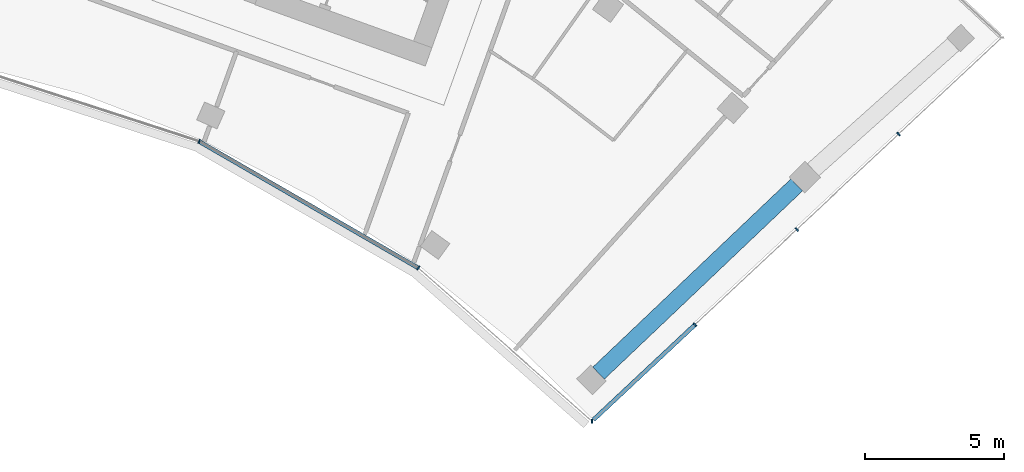
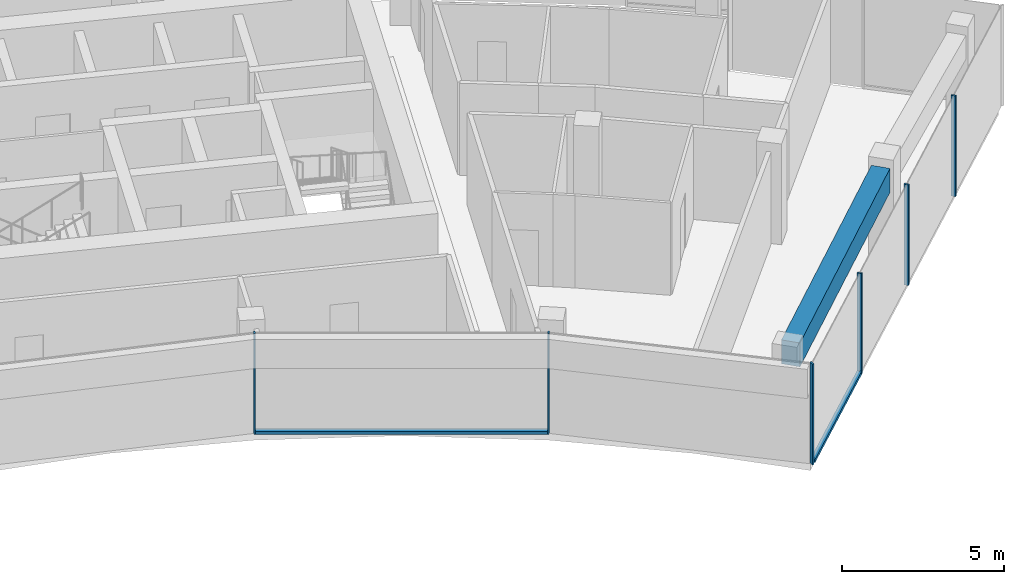
# One storey, part 8 of 18: 8 members, 1 beam, 2 elements without a shape of their own.
"""IFC4 building model written with IfcOpenShell, lengths in metres."""

from ifc_helpers import new_model, si_unit, direction, frame, origin, origin_2d, place, context, subcontext, project, spatial, rectangle, extrude, material, layer, layer_set, material_profile, profile_set, type_object, element, aggregate, save


model = new_model("IFC4")

# Units and contexts
model_context = context("Model", 3, precision=1e-05, world=origin(), true_north=direction((0.0, 1.0)))
body_context = subcontext(model_context, "Body", "Model", "MODEL_VIEW")
ifc_project = project(units=[si_unit("LENGTHUNIT", "METRE"), si_unit("AREAUNIT", "SQUARE_METRE"), si_unit("VOLUMEUNIT", "CUBIC_METRE"), si_unit("PLANEANGLEUNIT", "RADIAN"), si_unit("MASSUNIT", "GRAM", prefix="KILO")], contexts=[model_context])

# Site, building, storey
site_placement = place(None, origin())
site = spatial("IfcSite", under=ifc_project, at=site_placement, CompositionType="ELEMENT")
building_placement = place(site_placement, origin())
building = spatial("IfcBuilding", under=site, at=building_placement, Name="Stone Belt Terrace Tower", CompositionType="ELEMENT")
storey_placement = place(building_placement, frame((0.0, 0.0, 284.60009765625)))
storey = spatial("IfcBuildingStorey", under=building, at=storey_placement, Name="L69", CompositionType="ELEMENT", Elevation=284.60009765625)

# Curtain wall, members
ifc_material_1 = material(Name="Aluminium 6063-T6 anodised frame", Category="aluminium")
ifc_layer_1 = layer(ifc_material_1, 0.14990234375)
ifc_layer_set_1 = layer_set([ifc_layer_1], Name="CW-B unitised concave-face curtain wall")
curtain_wall_type_1 = type_object("IfcCurtainWallType", Name="CW-B unitised concave-face curtain wall", PredefinedType="NOTDEFINED", material=ifc_layer_set_1)
curtain_wall_1_placement = place(storey_placement, origin())
curtain_wall_1 = element("IfcCurtainWall", 1, at=curtain_wall_1_placement, inside=storey, type_object=curtain_wall_type_1, Name="CW-B concave face L69", PredefinedType="NOTDEFINED")
ifc_material_profile_1 = material_profile(ifc_material_1, rectangle(XDim=0.14990234375, YDim=0.050048828125, at=origin_2d()), Name="Aluminium 6063-T6 50x150")
ifc_profile_set_1 = profile_set([ifc_material_profile_1], Name="Aluminium 6063-T6 anodised frame")
member_type_1 = type_object("IfcMemberType", Name="CW-B mullion 50 x 150", PredefinedType="MULLION", material=ifc_profile_set_1)
member_1_placement = place(storey_placement, frame((17.662353515625, 39.67041015625, 0.0), z_axis=(0.0, 0.0, 1.0), x_axis=(0.406736643076, 0.913545457643, 0.0)))
member_1 = element("IfcMember", 2, at=member_1_placement, type_object=member_type_1, Name="CW-B mullion 7", PredefinedType="MULLION", context=body_context, shape_type="SweptSolid", body=[
    extrude(rectangle(XDim=0.14990234375, YDim=0.050048828125, at=origin_2d()), origin(), (0.0, 0.0, 1.0), 3.7998046875),
])
member_2_placement = place(storey_placement, frame((25.524658203125, 35.131103515625, 0.0), z_axis=(0.0, 0.0, 1.0), x_axis=(0.583818854632, 0.811883947973, 0.0)))
member_2 = element("IfcMember", 3, at=member_2_placement, type_object=member_type_1, Name="CW-B mullion 8", PredefinedType="MULLION", context=body_context, shape_type="SweptSolid", body=[
    extrude(rectangle(XDim=0.14990234375, YDim=0.050048828125, at=origin_2d()), origin(), (0.0, 0.0, 1.0), 3.7998046875),
])
ifc_material_profile_2 = material_profile(ifc_material_1, rectangle(XDim=0.14990234375, YDim=0.1201171875, at=origin_2d()), Name="Aluminium 6063-T6 150x120")
ifc_profile_set_2 = profile_set([ifc_material_profile_2], Name="Aluminium 6063-T6 anodised frame")
member_type_2 = type_object("IfcMemberType", Name="CW-B transom 120 x 150", PredefinedType="USERDEFINED", material=ifc_profile_set_2)
member_3_placement = place(storey_placement, frame((17.690673828125, 39.654052734375, 0.059814453125), z_axis=(0.866020948727, -0.500007716307, 0.0), x_axis=(0.500007716307, 0.866020948727, 0.0)))
member_3 = element("IfcMember", 4, at=member_3_placement, type_object=member_type_2, Name="CW-B transom 7.1", ObjectType="TRANSOM", PredefinedType="USERDEFINED", context=body_context, shape_type="SweptSolid", body=[
    extrude(rectangle(XDim=0.14990234375, YDim=0.1201171875, at=origin_2d()), origin(), (0.0, 0.0, 1.0), 9.013427734375),
])
aggregate(curtain_wall_1, [member_1, member_2, member_3])

ifc_layer_2 = layer(ifc_material_1, 0.14990234375)
ifc_layer_set_2 = layer_set([ifc_layer_2], Name="CW-C stick curtain wall, horn ends and notches")
curtain_wall_type_2 = type_object("IfcCurtainWallType", Name="CW-C stick curtain wall, horn ends and notches", PredefinedType="NOTDEFINED", material=ifc_layer_set_2)
curtain_wall_2_placement = place(storey_placement, origin())
curtain_wall_2 = element("IfcCurtainWall", 5, at=curtain_wall_2_placement, inside=storey, type_object=curtain_wall_type_2, Name="CW-C end face L69", PredefinedType="NOTDEFINED")
ifc_material_profile_3 = material_profile(ifc_material_1, rectangle(XDim=0.14990234375, YDim=0.06005859375, at=origin_2d()), Name="Aluminium 6063-T6 60x150")
ifc_profile_set_3 = profile_set([ifc_material_profile_3], Name="Aluminium 6063-T6 anodised frame")
member_type_3 = type_object("IfcMemberType", Name="CW-C mullion 60 x 150", PredefinedType="MULLION", material=ifc_profile_set_3)
member_4_placement = place(storey_placement, frame((31.75244140625, 29.633056640625, 0.0), z_axis=(0.0, 0.0, 1.0), x_axis=(-0.014681639593, 0.999892218921, 0.0)))
member_4 = element("IfcMember", 6, at=member_4_placement, type_object=member_type_3, Name="CW-C mullion 1", PredefinedType="MULLION", context=body_context, shape_type="SweptSolid", body=[
    extrude(rectangle(XDim=0.14990234375, YDim=0.06005859375, at=origin_2d()), origin(), (0.0, 0.0, 1.0), 3.7998046875),
])
member_5_placement = place(storey_placement, frame((35.45166015625, 33.097412109375, 0.0), z_axis=(0.0, 0.0, 1.0), x_axis=(-0.683549434973, 0.729904219708, 0.0)))
member_5 = element("IfcMember", 7, at=member_5_placement, type_object=member_type_3, Name="CW-C mullion 2", PredefinedType="MULLION", context=body_context, shape_type="SweptSolid", body=[
    extrude(rectangle(XDim=0.14990234375, YDim=0.06005859375, at=origin_2d()), origin(), (0.0, 0.0, 1.0), 3.7998046875),
])
member_6_placement = place(storey_placement, frame((39.10107421875, 36.51513671875, 0.0), z_axis=(0.0, 0.0, 1.0), x_axis=(-0.683549434973, 0.729904219708, 0.0)))
member_6 = element("IfcMember", 8, at=member_6_placement, type_object=member_type_3, Name="CW-C mullion 3", PredefinedType="MULLION", context=body_context, shape_type="SweptSolid", body=[
    extrude(rectangle(XDim=0.14990234375, YDim=0.06005859375, at=origin_2d()), origin(), (0.0, 0.0, 1.0), 3.7998046875),
])
member_7_placement = place(storey_placement, frame((42.750732421875, 39.932861328125, 0.0), z_axis=(0.0, 0.0, 1.0), x_axis=(-0.683549434973, 0.729904219708, 0.0)))
member_7 = element("IfcMember", 9, at=member_7_placement, type_object=member_type_3, Name="CW-C mullion 4", PredefinedType="MULLION", context=body_context, shape_type="SweptSolid", body=[
    extrude(rectangle(XDim=0.14990234375, YDim=0.06005859375, at=origin_2d()), origin(), (0.0, 0.0, 1.0), 3.7998046875),
])
ifc_material_profile_4 = material_profile(ifc_material_1, rectangle(XDim=0.14990234375, YDim=0.1201171875, at=origin_2d()), Name="Aluminium 6063-T6 150x120")
ifc_profile_set_4 = profile_set([ifc_material_profile_4], Name="Aluminium 6063-T6 anodised frame")
member_type_4 = type_object("IfcMemberType", Name="CW-C transom 120 x 150", PredefinedType="USERDEFINED", material=ifc_profile_set_4)
member_8_placement = place(storey_placement, frame((31.805419921875, 29.6826171875, 0.059814453125), z_axis=(0.72988516347, 0.683569782938, 0.0), x_axis=(-0.683569782938, 0.72988516347, 0.0)))
member_8 = element("IfcMember", 10, at=member_8_placement, type_object=member_type_4, Name="CW-C transom 1.1", ObjectType="TRANSOM", PredefinedType="USERDEFINED", context=body_context, shape_type="SweptSolid", body=[
    extrude(rectangle(XDim=0.14990234375, YDim=0.1201171875, at=origin_2d()), origin(), (0.0, 0.0, 1.0), 4.965576171875),
])
aggregate(curtain_wall_2, [member_4, member_5, member_6, member_7, member_8])

# Beam
ifc_material_2 = material(Name="Concrete B60", Category="concrete")
ifc_material_profile_5 = material_profile(ifc_material_2, rectangle(XDim=0.60009765625, YDim=0.89990234375, at=origin_2d()), Name="RC 600x900")
ifc_profile_set_5 = profile_set([ifc_material_profile_5], Name="Concrete B60")
beam_type = type_object("IfcBeamType", Name="Edge beam RC 600x900 B60", PredefinedType="SPANDREL", material=ifc_profile_set_5)
beam_placement = place(storey_placement, frame((31.98876953125, 31.35791015625, 3.02978515625), z_axis=(0.72502367576, 0.688723942946, 0.0), x_axis=(-0.688723942946, 0.72502367576, 0.0)))
element("IfcBeam", 11, at=beam_placement, inside=storey, type_object=beam_type, Name="Edge beam L69 B P to Q", PredefinedType="SPANDREL", context=body_context, shape_type="SweptSolid", body=[
    extrude(rectangle(XDim=0.60009765625, YDim=0.89990234375, at=origin_2d()), origin(), (0.0, 0.0, 1.0), 9.80615234375),
])

save(model, "model.ifc")
